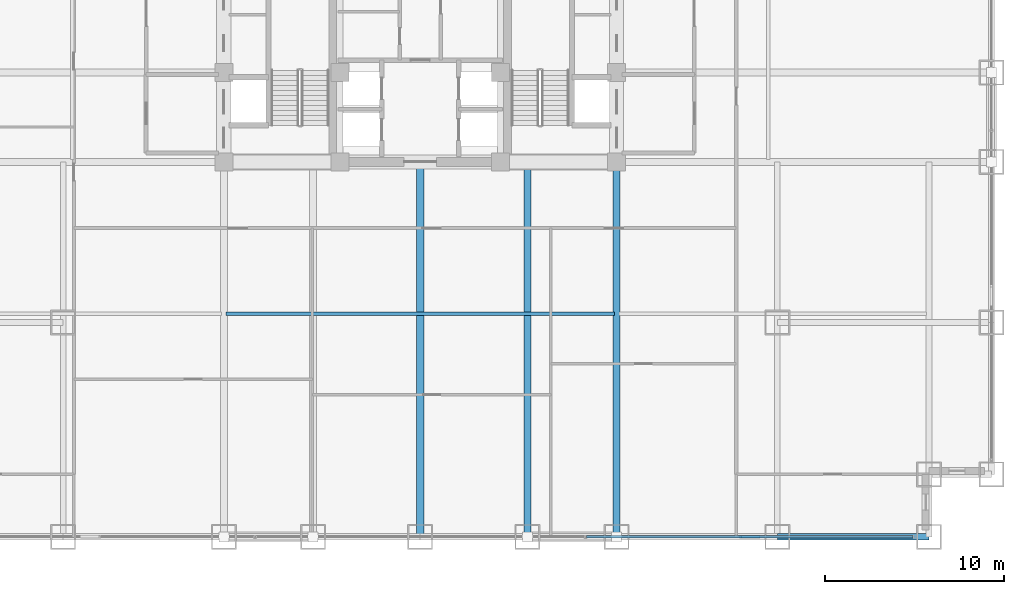
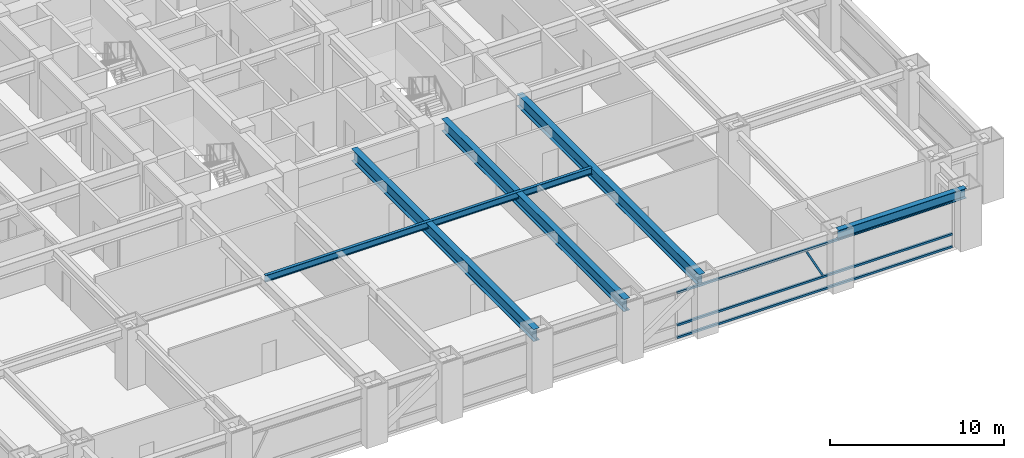
# One storey, part 9 of 28: 5 beams, 4 members, 1 element without a shape of its own.
"""IFC4 building model written with IfcOpenShell, lengths in metres."""

from ifc_helpers import new_model, si_unit, direction, frame, origin, origin_2d, place, context, subcontext, project, spatial, hollow_rectangle, i_section, extrude, source, transform, mapped, material, material_profile, profile_set, type_object, element, aggregate, save


model = new_model("IFC4")

# Units and contexts
model_context = context("Model", 3, precision=1e-05, world=origin(), true_north=direction((0.0, 1.0)))
body_context = subcontext(model_context, "Body", "Model", "MODEL_VIEW")
ifc_project = project(units=[si_unit("LENGTHUNIT", "METRE"), si_unit("AREAUNIT", "SQUARE_METRE"), si_unit("VOLUMEUNIT", "CUBIC_METRE"), si_unit("PLANEANGLEUNIT", "RADIAN"), si_unit("MASSUNIT", "GRAM", prefix="KILO")], contexts=[model_context])

# Site, building, storey
site_placement = place(None, origin())
site = spatial("IfcSite", under=ifc_project, at=site_placement, CompositionType="ELEMENT")
building_placement = place(site_placement, origin())
building = spatial("IfcBuilding", under=site, at=building_placement, Name="Khorayat Bourse Tower", CompositionType="ELEMENT")
storey_placement = place(building_placement, frame((0.0, 0.0, 57.800048828125)))
storey = spatial("IfcBuildingStorey", under=building, at=storey_placement, Name="L12", CompositionType="ELEMENT", Elevation=57.800048828125)

# Beams
ifc_material_1 = material(Name="Steel ASTM A992 Grade 50", Category="steel")
ifc_material_profile_1 = material_profile(ifc_material_1, i_section(OverallWidth=0.35498046875, OverallDepth=0.695068359375, WebThickness=0.015380859375, FlangeThickness=0.02490234375, FilletRadius=0.01806640625, at=origin_2d()), Name="W690X217")
ifc_profile_set_1 = profile_set([ifc_material_profile_1], Name="Steel ASTM A992 Grade 50")
beam_type_1 = type_object("IfcBeamType", Name="BM-SPAN-690", PredefinedType="SPANDREL", material=ifc_profile_set_1)
shared_shape_1 = source(origin(), body_context, "Body", "SweptSolid", [
    extrude(i_section(OverallWidth=0.35498046875, OverallDepth=0.695068359375, WebThickness=0.015380859375, FlangeThickness=0.02490234375, FilletRadius=0.01806640625, at=origin_2d()), origin(), (0.0, 0.0, 1.0), 8.5),
])
beam_1_placement = place(storey_placement, frame((20.0, -32.0, 3.592529296875), z_axis=(1.0, 0.0, 0.0), x_axis=(0.0, 1.0, 0.0)))
element("IfcBeam", 1, at=beam_1_placement, inside=storey, type_object=beam_type_1, Name="L12 BM-SPAN-690 BM-L12-SPN-031", PredefinedType="SPANDREL", context=body_context, shape_type="MappedRepresentation", body=[
    mapped(shared_shape_1, transform((0.0, 0.0, 0.0), scale=1.0)),
])
ifc_material_profile_2 = material_profile(ifc_material_1, i_section(OverallWidth=0.39990234375, OverallDepth=0.85498046875, WebThickness=0.018310546875, FlangeThickness=0.029296875, FilletRadius=0.02001953125, at=origin_2d()), Name="W840X299")
ifc_profile_set_2 = profile_set([ifc_material_profile_2], Name="Steel ASTM A992 Grade 50")
beam_type_2 = type_object("IfcBeamType", Name="BM-GIRD-840", PredefinedType="BEAM", material=ifc_profile_set_2)
shared_shape_2 = source(origin(), body_context, "Body", "SweptSolid", [
    extrude(i_section(OverallWidth=0.39990234375, OverallDepth=0.85498046875, WebThickness=0.018310546875, FlangeThickness=0.029296875, FilletRadius=0.02001953125, at=origin_2d()), origin(), (0.0, 0.0, 1.0), 21.0),
])
for number, where, z_axis, x_axis, name in (
    (2, (0.0, -32.0, 3.512451171875), (0.0, 1.0, 0.0), (-1.0, 0.0, 0.0), "L12 BM-GIRD-840 BM-L12-RADY-069"),
    (3, (6.0, -32.0, 3.512451171875), (0.0, 1.0, 0.0), (-1.0, 0.0, 0.0), "L12 BM-GIRD-840 BM-L12-RADY-071"),
    (4, (11.0, -32.0, 3.512451171875), (0.0, 1.0, 0.0), (-1.0, 0.0, 0.0), "L12 BM-GIRD-840 BM-L12-RADY-073"),
):
    element("IfcBeam", number, at=place(storey_placement, frame(where, z_axis=z_axis, x_axis=x_axis)), inside=storey, type_object=beam_type_2, Name=name, PredefinedType="BEAM", context=body_context, shape_type="MappedRepresentation", body=[
        mapped(shared_shape_2, transform((0.0, 0.0, 0.0), scale=1.0)),
    ])
ifc_material_profile_3 = material_profile(ifc_material_1, i_section(OverallWidth=0.194091796875, OverallDepth=0.468994140625, WebThickness=0.0126953125, FlangeThickness=0.0205078125, FilletRadius=0.012939453125, at=origin_2d()), Name="W460X106")
ifc_profile_set_3 = profile_set([ifc_material_profile_3], Name="Steel ASTM A992 Grade 50")
beam_type_3 = type_object("IfcBeamType", Name="BM-JOIST-460", PredefinedType="JOIST", material=ifc_profile_set_3)
shared_shape_3 = source(origin(), body_context, "Body", "SweptSolid", [
    extrude(i_section(OverallWidth=0.194091796875, OverallDepth=0.468994140625, WebThickness=0.0126953125, FlangeThickness=0.0205078125, FilletRadius=0.012939453125, at=origin_2d()), origin(), (0.0, 0.0, 1.0), 21.740234375),
])
beam_2_placement = place(storey_placement, frame((-10.8701171875, -19.5, 3.70556640625), z_axis=(1.0, 0.0, 0.0), x_axis=(0.0, 1.0, 0.0)))
element("IfcBeam", 5, at=beam_2_placement, inside=storey, type_object=beam_type_3, Name="L12 BM-JOIST-460 BM-L12-JSTX-097", PredefinedType="JOIST", context=body_context, shape_type="MappedRepresentation", body=[
    mapped(shared_shape_3, transform((0.0, 0.0, 0.0), scale=1.0)),
])

# Curtain wall, members
ifc_material_2 = material(Name="Aluminium EN AW-6063 T6", Category="aluminium")
curtain_wall_type = type_object("IfcCurtainWallType", Name="CW-SYS-02", PredefinedType="NOTDEFINED", material=ifc_material_2)
curtain_wall_placement = place(storey_placement, origin())
curtain_wall = element("IfcCurtainWall", 6, at=curtain_wall_placement, inside=storey, type_object=curtain_wall_type, Name="L12 Curtain Wall CW-L12-S1", PredefinedType="NOTDEFINED")
ifc_material_profile_4 = material_profile(ifc_material_2, hollow_rectangle(XDim=0.139892578125, YDim=0.139892578125, WallThickness=0.006103515625, at=origin_2d()), Name="ALU 140x140x6")
ifc_profile_set_4 = profile_set([ifc_material_profile_4], Name="Aluminium EN AW-6063 T6")
member_type_1 = type_object("IfcMemberType", Name="CWT-HORZ-140", PredefinedType="USERDEFINED", material=ifc_profile_set_4)
shared_shape_4 = source(origin(), body_context, "Body", "SweptSolid", [
    extrude(hollow_rectangle(XDim=0.139892578125, YDim=0.139892578125, WallThickness=0.006103515625, at=origin_2d()), origin(), (0.0, 0.0, 1.0), 18.2900390625),
])
member_1_placement = place(storey_placement, frame((9.320068359375, -32.0, 0.070068359375), z_axis=(1.0, 0.0, 0.0), x_axis=(0.0, 1.0, 0.0)))
member_1 = element("IfcMember", 7, at=member_1_placement, type_object=member_type_1, Name="CW-L12-S1 Horizontal Transom 3-1", ObjectType="TRANSOM", PredefinedType="USERDEFINED", context=body_context, shape_type="MappedRepresentation", body=[
    mapped(shared_shape_4, transform((0.0, 0.0, 0.0), scale=1.0)),
])
member_2_placement = place(storey_placement, frame((9.320068359375, -32.0, 0.949951171875), z_axis=(1.0, 0.0, 0.0), x_axis=(0.0, 1.0, 0.0)))
member_2 = element("IfcMember", 8, at=member_2_placement, type_object=member_type_1, Name="CW-L12-S1 Horizontal Transom 3-2", ObjectType="TRANSOM", PredefinedType="USERDEFINED", context=body_context, shape_type="MappedRepresentation", body=[
    mapped(shared_shape_4, transform((0.0, 0.0, 0.0), scale=1.0)),
])
member_3_placement = place(storey_placement, frame((9.320068359375, -32.0, 3.219970703125), z_axis=(1.0, 0.0, 0.0), x_axis=(0.0, 1.0, 0.0)))
member_3 = element("IfcMember", 9, at=member_3_placement, type_object=member_type_1, Name="CW-L12-S1 Horizontal Transom 3-3", ObjectType="TRANSOM", PredefinedType="USERDEFINED", context=body_context, shape_type="MappedRepresentation", body=[
    mapped(shared_shape_4, transform((0.0, 0.0, 0.0), scale=1.0)),
])
ifc_material_profile_5 = material_profile(ifc_material_2, hollow_rectangle(XDim=0.1201171875, YDim=0.1201171875, WallThickness=0.0048828125, at=origin_2d()), Name="ALU 120x120x5")
ifc_profile_set_5 = profile_set([ifc_material_profile_5], Name="Aluminium EN AW-6063 T6")
member_type_2 = type_object("IfcMemberType", Name="CWM-DIAG-120", PredefinedType="MULLION", material=ifc_profile_set_5)
shared_shape_5 = source(origin(), body_context, "Body", "SweptSolid", [
    extrude(hollow_rectangle(XDim=0.1201171875, YDim=0.1201171875, WallThickness=0.0048828125, at=origin_2d()), origin(), (0.0, 0.0, 1.0), 2.226318359375),
])
member_4_placement = place(storey_placement, frame((18.9833984375, -32.0, 1.099853515625), z_axis=(-0.465714796031, 0.0, 0.884934872608), x_axis=(0.0, -1.0, 0.0)))
member_4 = element("IfcMember", 10, at=member_4_placement, type_object=member_type_2, Name="CW-L12-S1 Faceted Diagonal Mullion 3", PredefinedType="MULLION", context=body_context, shape_type="MappedRepresentation", body=[
    mapped(shared_shape_5, transform((0.0, 0.0, 0.0), scale=1.0)),
])
aggregate(curtain_wall, [member_1, member_2, member_3, member_4])

save(model, "model.ifc")
